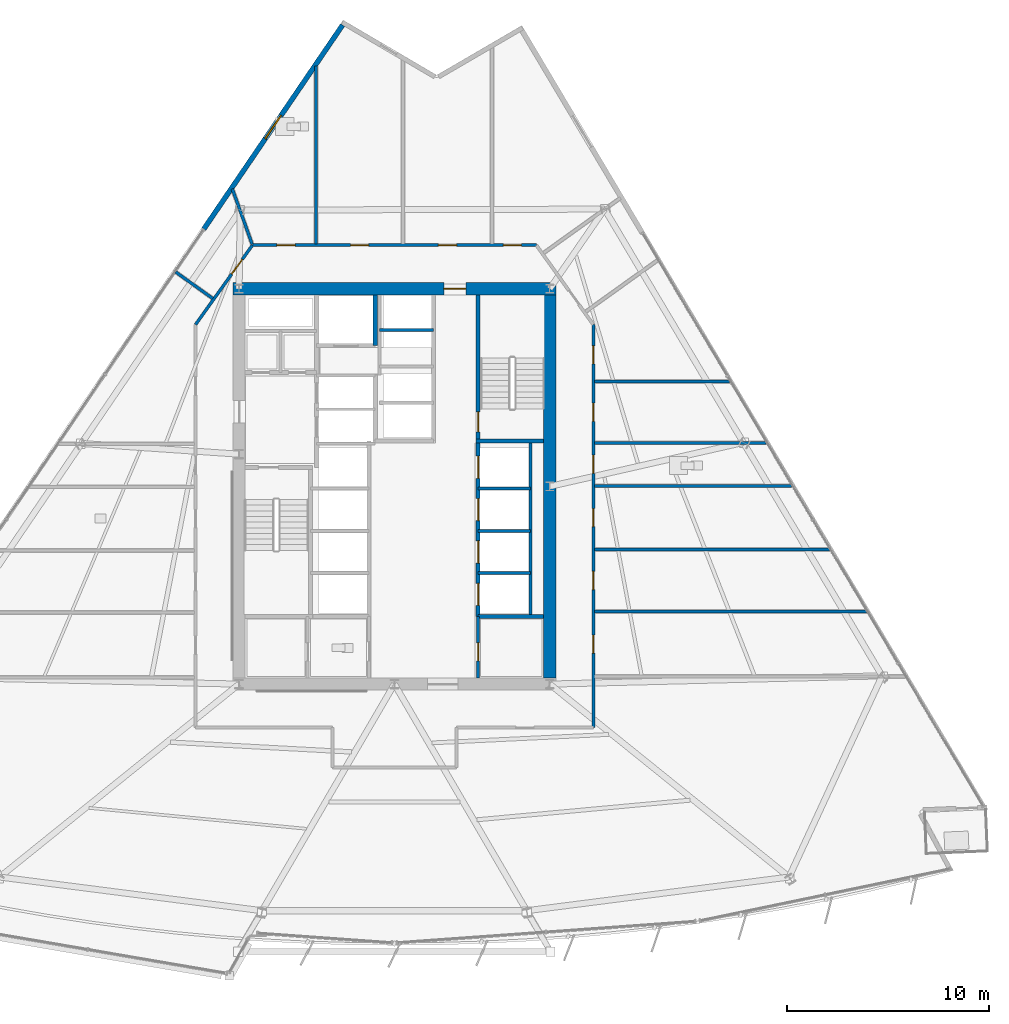
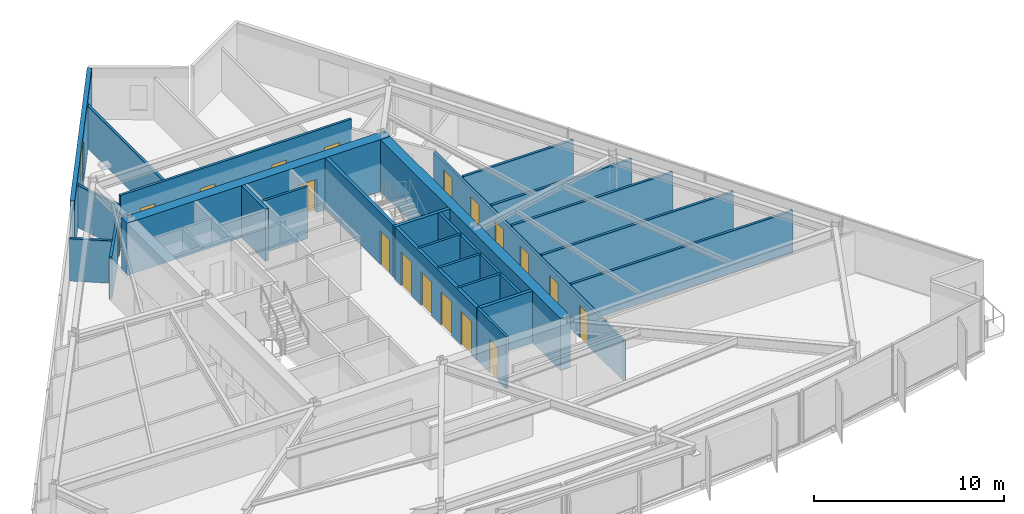
# One storey, part 10 of 17: 25 walls, 18 doors, 1 window, 19 openings.
"""IFC4 building model written with IfcOpenShell, lengths in metres."""

from ifc_helpers import new_model, si_unit, direction, frame, frame_2d, origin, place, context, subcontext, project, spatial, rectangle, extrude, material, layer, layer_set, type_object, element, fill, save


model = new_model("IFC4")

# Units and contexts
model_context = context("Model", 3, precision=1e-05, world=origin(), true_north=direction((0.0, 1.0)))
body_context = subcontext(model_context, "Body", "Model", "MODEL_VIEW")
ifc_project = project(units=[si_unit("LENGTHUNIT", "METRE"), si_unit("AREAUNIT", "SQUARE_METRE"), si_unit("VOLUMEUNIT", "CUBIC_METRE"), si_unit("PLANEANGLEUNIT", "RADIAN"), si_unit("MASSUNIT", "GRAM", prefix="KILO")], contexts=[model_context])

# Site, building, storey
site_placement = place(None, origin())
site = spatial("IfcSite", under=ifc_project, at=site_placement, CompositionType="ELEMENT")
building_placement = place(site_placement, origin())
building = spatial("IfcBuilding", under=site, at=building_placement, Name="Savorim Split Tower", CompositionType="ELEMENT")
storey_placement = place(building_placement, frame((0.0, 0.0, 62.39990234375)))
storey = spatial("IfcBuildingStorey", under=building, at=storey_placement, Name="L16", CompositionType="ELEMENT", Elevation=62.39990234375)

# Wall, opening, door
ifc_material_1 = material(Name="Concrete C60/75", Category="concrete")
ifc_layer_1 = layer(ifc_material_1, 0.60009765625)
ifc_layer_set_1 = layer_set([ifc_layer_1], Name="WAL-COR-SH600")
wall_type_1 = type_object("IfcWallType", Name="WAL-COR-SH600", PredefinedType="SHEAR", material=ifc_layer_set_1)
wall_1_placement = place(storey_placement, frame((8.0, 10.199951171875, 0.0), z_axis=(0.0, 0.0, 1.0), x_axis=(-1.0, 0.0, 0.0)))
wall_1 = element("IfcWall", 1, at=wall_1_placement, inside=storey, type_object=wall_type_1, Name="L16 Offset Core North Shear Wall", PredefinedType="SHEAR", context=body_context, shape_type="SweptSolid", body=[
    extrude(rectangle(XDim=16.0, YDim=0.60009765625, at=frame_2d((8.0, 0.0))), origin(), (0.0, 0.0, 1.0), 3.35009765625),
])
opening_1_placement = place(wall_1_placement, frame((4.449951171875, 0.0, 0.0)))
opening_1 = element("IfcOpeningElement", 2, at=opening_1_placement, cuts=wall_1, Name="Opening DI-03", PredefinedType="OPENING", context=body_context, shape_type="SweptSolid", body=[
    extrude(rectangle(XDim=1.10009765625, YDim=2.14990234375, at=frame_2d((0.550048828125, 1.074951171875))), frame((0.0, 0.31005859375, 0.0), z_axis=(0.0, -1.0, 0.0), x_axis=(1.0, 0.0, 0.0)), (0.0, 0.0, 1.0), 0.6201171875),
])
ifc_material_2 = material(Name="Timber Fire Door Leaf", Category="wood")
door_type_1 = type_object("IfcDoorType", Name="DOR-FIR-1100", OperationType="NOTDEFINED", PredefinedType="DOOR", material=ifc_material_2)
door_1_placement = place(opening_1_placement, origin())
door_1 = element("IfcDoor", 3, at=door_1_placement, inside=storey, type_object=door_type_1, Name="DOR-L16-COR-NLOB - L16 North Corridor Lobby Fire Door", OperationType="SINGLE_SWING_LEFT", OverallHeight=2.14990234375, OverallWidth=1.10009765625, PredefinedType="DOOR", context=body_context, shape_type="SweptSolid", body=[
    extrude(rectangle(XDim=1.10009765625, YDim=2.14990234375, at=frame_2d((0.550048828125, 1.074951171875))), frame((0.0, 0.02490234375, 0.0), z_axis=(0.0, -1.0, 0.0), x_axis=(1.0, 0.0, 0.0)), (0.0, 0.0, 1.0), 0.050048828125),
])
fill(opening_1, door_1)

# Wall
wall_2_placement = place(storey_placement, frame((7.699951171875, 9.89990234375, 0.0), z_axis=(0.0, 0.0, 1.0), x_axis=(0.0, -1.0, 0.0)))
element("IfcWall", 4, at=wall_2_placement, inside=storey, type_object=wall_type_1, Name="L16 Offset Core East Shear Wall", PredefinedType="SHEAR", context=body_context, shape_type="SweptSolid", body=[
    extrude(rectangle(XDim=19.0, YDim=0.60009765625, at=frame_2d((9.5, 0.0))), origin(), (0.0, 0.0, 1.0), 3.35009765625),
])

# Wall, opening, window
ifc_material_3 = material(Name="Precast concrete C40/50", Category="concrete")
ifc_layer_2 = layer(ifc_material_3, 0.25)
ifc_layer_set_2 = layer_set([ifc_layer_2], Name="WAL-EXT-SPN250")
wall_type_2 = type_object("IfcWallType", Name="WAL-EXT-SPN250", PredefinedType="SOLIDWALL", material=ifc_layer_set_2)
wall_3_placement = place(storey_placement, frame((-9.45068359375, 13.163330078125, 0.0), z_axis=(0.0, 0.0, 1.0), x_axis=(0.562478152622, 0.826812147844, 0.0)))
wall_3 = element("IfcWall", 5, at=wall_3_placement, inside=storey, type_object=wall_type_2, Name="L16 West Operable Window Pier", PredefinedType="SOLIDWALL", context=body_context, shape_type="SweptSolid", body=[
    extrude(rectangle(XDim=12.232177734375, YDim=0.25, at=frame_2d((6.1162109375, 0.0))), origin(), (0.0, 0.0, 1.0), 3.35009765625),
])
opening_2_placement = place(wall_3_placement, frame((5.416015625, 0.0, 0.6201171875)))
opening_2 = element("IfcOpeningElement", 6, at=opening_2_placement, cuts=wall_3, Name="Opening WN-07", PredefinedType="OPENING", context=body_context, shape_type="SweptSolid", body=[
    extrude(rectangle(XDim=1.39990234375, YDim=2.0, at=frame_2d((0.699951171875, 1.0))), frame((0.0, 0.135009765625, 0.0), z_axis=(0.0, -1.0, 0.0), x_axis=(1.0, 0.0, 0.0)), (0.0, 0.0, 1.0), 0.27001953125),
])
ifc_material_4 = material(Name="Low-E Operable Double Glazing", Category="glass")
window_type = type_object("IfcWindowType", Name="WIN-TWR-1400x2000", PartitioningType="SINGLE_PANEL", PredefinedType="WINDOW", material=ifc_material_4)
window_placement = place(opening_2_placement, origin())
window = element("IfcWindow", 7, at=window_placement, inside=storey, type_object=window_type, Name="L16 West Operable Ventilation Window", OverallHeight=2.0, OverallWidth=1.39990234375, PartitioningType="SINGLE_PANEL", PredefinedType="WINDOW", context=body_context, shape_type="SweptSolid", body=[
    extrude(rectangle(XDim=1.39990234375, YDim=2.0, at=frame_2d((0.699951171875, 1.0))), frame((0.0, 0.030029296875, 0.0), z_axis=(0.0, -1.0, 0.0), x_axis=(1.0, 0.0, 0.0)), (0.0, 0.0, 1.0), 0.06005859375),
])
fill(opening_2, window)

# Wall, opening, door
ifc_material_5 = material(Name="Concrete C50/60", Category="concrete")
ifc_layer_3 = layer(ifc_material_5, 0.199951171875)
ifc_layer_set_3 = layer_set([ifc_layer_3], Name="WAL-INT-RC200")
wall_type_3 = type_object("IfcWallType", Name="WAL-INT-RC200", PredefinedType="SOLIDWALL", material=ifc_layer_set_3)
wall_4_placement = place(storey_placement, frame((4.14990234375, 2.75, 0.0), z_axis=(0.0, 0.0, 1.0), x_axis=(0.0, 1.0, 0.0)))
wall_4 = element("IfcWall", 8, at=wall_4_placement, inside=storey, type_object=wall_type_3, Name="L16 Structural Shaft Wall W-L16-CR07", PredefinedType="SOLIDWALL", context=body_context, shape_type="SweptSolid", body=[
    extrude(rectangle(XDim=7.14990234375, YDim=0.199951171875, at=frame_2d((3.574951171875, 0.0))), origin(), (0.0, 0.0, 1.0), 3.35009765625),
])
opening_3_placement = place(wall_4_placement, frame((0.35009765625, 0.0, 0.0)))
opening_3 = element("IfcOpeningElement", 9, at=opening_3_placement, cuts=wall_4, Name="Opening DI-04", PredefinedType="OPENING", context=body_context, shape_type="SweptSolid", body=[
    extrude(rectangle(XDim=1.0, YDim=2.14990234375, at=frame_2d((0.5, 1.074951171875))), frame((0.0, 0.10986328125, 0.0), z_axis=(0.0, -1.0, 0.0), x_axis=(1.0, 0.0, 0.0)), (0.0, 0.0, 1.0), 0.219970703125),
])
door_type_2 = type_object("IfcDoorType", Name="DOR-FIR-1000", OperationType="NOTDEFINED", PredefinedType="DOOR", material=ifc_material_2)
door_2_placement = place(opening_3_placement, origin())
door_2 = element("IfcDoor", 10, at=door_2_placement, inside=storey, type_object=door_type_2, Name="DR-L16-ST2 - L16 Stair ST-2 Enclosure Door", OperationType="SINGLE_SWING_RIGHT", OverallHeight=2.14990234375, OverallWidth=1.0, PredefinedType="DOOR", context=body_context, shape_type="SweptSolid", body=[
    extrude(rectangle(XDim=1.0, YDim=2.14990234375, at=frame_2d((0.5, 1.074951171875))), frame((0.0, 0.02490234375, 0.0), z_axis=(0.0, -1.0, 0.0), x_axis=(1.0, 0.0, 0.0)), (0.0, 0.0, 1.0), 0.050048828125),
])
fill(opening_3, door_2)

# Walls
wall_5_placement = place(storey_placement, frame((4.050048828125, 2.64990234375, 0.0), z_axis=(0.0, 0.0, 1.0), x_axis=(1.0, 0.0, 0.0)))
element("IfcWall", 11, at=wall_5_placement, inside=storey, type_object=wall_type_3, Name="L16 Structural Shaft Wall W-L16-CR08", PredefinedType="SOLIDWALL", context=body_context, shape_type="SweptSolid", body=[
    extrude(rectangle(XDim=3.349853515625, YDim=0.199951171875, at=frame_2d((1.6748046875, 0.0))), origin(), (0.0, 0.0, 1.0), 3.35009765625),
])
wall_6_placement = place(storey_placement, frame((-0.949951171875, 7.3798828125, 0.0), z_axis=(0.0, 0.0, 1.0), x_axis=(0.0, 1.0, 0.0)))
element("IfcWall", 12, at=wall_6_placement, inside=storey, type_object=wall_type_3, Name="L16 Partition W-L16-SVLE", PredefinedType="SOLIDWALL", context=body_context, shape_type="SweptSolid", body=[
    extrude(rectangle(XDim=2.51513671875, YDim=0.199951171875, at=frame_2d((1.257568359375, 0.0))), origin(), (0.0, 0.0, 1.0), 3.35009765625),
])

# Wall, openings, doors
wall_7_placement = place(storey_placement, frame((4.14990234375, -6.050048828125, 0.0), z_axis=(0.0, 0.0, 1.0), x_axis=(0.0, 1.0, 0.0)))
wall_7 = element("IfcWall", 13, at=wall_7_placement, inside=storey, type_object=wall_type_3, Name="L16 Partition W-L16-B1FRONT", PredefinedType="SOLIDWALL", context=body_context, shape_type="SweptSolid", body=[
    extrude(rectangle(XDim=8.699951171875, YDim=0.199951171875, at=frame_2d((4.35009765625, 0.0))), origin(), (0.0, 0.0, 1.0), 3.35009765625),
])
opening_4_placement = place(wall_7_placement, frame((0.550048828125, 0.0, 0.0)))
opening_4 = element("IfcOpeningElement", 14, at=opening_4_placement, cuts=wall_7, Name="Opening LD-01", PredefinedType="OPENING", context=body_context, shape_type="SweptSolid", body=[
    extrude(rectangle(XDim=1.10009765625, YDim=2.14990234375, at=frame_2d((0.550048828125, 1.074951171875))), frame((0.0, 0.10986328125, 0.0), z_axis=(0.0, -1.0, 0.0), x_axis=(1.0, 0.0, 0.0)), (0.0, 0.0, 1.0), 0.219970703125),
])
opening_5_placement = place(wall_7_placement, frame((2.64990234375, 0.0, 0.0)))
opening_5 = element("IfcOpeningElement", 15, at=opening_5_placement, cuts=wall_7, Name="Opening LD-01", PredefinedType="OPENING", context=body_context, shape_type="SweptSolid", body=[
    extrude(rectangle(XDim=1.10009765625, YDim=2.14990234375, at=frame_2d((0.550048828125, 1.074951171875))), frame((0.0, 0.10986328125, 0.0), z_axis=(0.0, -1.0, 0.0), x_axis=(1.0, 0.0, 0.0)), (0.0, 0.0, 1.0), 0.219970703125),
])
opening_6_placement = place(wall_7_placement, frame((4.75, 0.0, 0.0)))
opening_6 = element("IfcOpeningElement", 16, at=opening_6_placement, cuts=wall_7, Name="Opening LD-01", PredefinedType="OPENING", context=body_context, shape_type="SweptSolid", body=[
    extrude(rectangle(XDim=1.10009765625, YDim=2.14990234375, at=frame_2d((0.550048828125, 1.074951171875))), frame((0.0, 0.10986328125, 0.0), z_axis=(0.0, -1.0, 0.0), x_axis=(1.0, 0.0, 0.0)), (0.0, 0.0, 1.0), 0.219970703125),
])
opening_7_placement = place(wall_7_placement, frame((6.85009765625, 0.0, 0.0)))
opening_7 = element("IfcOpeningElement", 17, at=opening_7_placement, cuts=wall_7, Name="Opening LD-01", PredefinedType="OPENING", context=body_context, shape_type="SweptSolid", body=[
    extrude(rectangle(XDim=1.10009765625, YDim=2.14990234375, at=frame_2d((0.550048828125, 1.074951171875))), frame((0.0, 0.10986328125, 0.0), z_axis=(0.0, -1.0, 0.0), x_axis=(1.0, 0.0, 0.0)), (0.0, 0.0, 1.0), 0.219970703125),
])
ifc_material_6 = material(Name="Charcoal Anodised Aluminium", Category="aluminium")
door_type_3 = type_object("IfcDoorType", Name="DOR-SLD-LD1100", OperationType="NOTDEFINED", PredefinedType="DOOR", material=ifc_material_6)
door_3_placement = place(opening_4_placement, origin())
door_3 = element("IfcDoor", 18, at=door_3_placement, inside=storey, type_object=door_type_3, Name="DR-L16-LD-PLL1 - L16 Lift PL-L1 Sliding Landing Door", OperationType="DOUBLE_DOOR_SLIDING", OverallHeight=2.14990234375, OverallWidth=1.10009765625, PredefinedType="DOOR", context=body_context, shape_type="SweptSolid", body=[
    extrude(rectangle(XDim=1.10009765625, YDim=2.14990234375, at=frame_2d((0.550048828125, 1.074951171875))), frame((0.0, 0.02490234375, 0.0), z_axis=(0.0, -1.0, 0.0), x_axis=(1.0, 0.0, 0.0)), (0.0, 0.0, 1.0), 0.050048828125),
])
fill(opening_4, door_3)
door_4_placement = place(opening_5_placement, origin())
door_4 = element("IfcDoor", 19, at=door_4_placement, inside=storey, type_object=door_type_3, Name="DR-L16-LD-PLL2 - L16 Lift PL-L2 Sliding Landing Door", OperationType="DOUBLE_DOOR_SLIDING", OverallHeight=2.14990234375, OverallWidth=1.10009765625, PredefinedType="DOOR", context=body_context, shape_type="SweptSolid", body=[
    extrude(rectangle(XDim=1.10009765625, YDim=2.14990234375, at=frame_2d((0.550048828125, 1.074951171875))), frame((0.0, 0.02490234375, 0.0), z_axis=(0.0, -1.0, 0.0), x_axis=(1.0, 0.0, 0.0)), (0.0, 0.0, 1.0), 0.050048828125),
])
fill(opening_5, door_4)
door_5_placement = place(opening_6_placement, origin())
door_5 = element("IfcDoor", 20, at=door_5_placement, inside=storey, type_object=door_type_3, Name="DR-L16-LD-PLL3 - L16 Lift PL-L3 Sliding Landing Door", OperationType="DOUBLE_DOOR_SLIDING", OverallHeight=2.14990234375, OverallWidth=1.10009765625, PredefinedType="DOOR", context=body_context, shape_type="SweptSolid", body=[
    extrude(rectangle(XDim=1.10009765625, YDim=2.14990234375, at=frame_2d((0.550048828125, 1.074951171875))), frame((0.0, 0.02490234375, 0.0), z_axis=(0.0, -1.0, 0.0), x_axis=(1.0, 0.0, 0.0)), (0.0, 0.0, 1.0), 0.050048828125),
])
fill(opening_6, door_5)
door_6_placement = place(opening_7_placement, origin())
door_6 = element("IfcDoor", 21, at=door_6_placement, inside=storey, type_object=door_type_3, Name="DR-L16-LD-PLL4 - L16 Lift PL-L4 Sliding Landing Door", OperationType="DOUBLE_DOOR_SLIDING", OverallHeight=2.14990234375, OverallWidth=1.10009765625, PredefinedType="DOOR", context=body_context, shape_type="SweptSolid", body=[
    extrude(rectangle(XDim=1.10009765625, YDim=2.14990234375, at=frame_2d((0.550048828125, 1.074951171875))), frame((0.0, 0.02490234375, 0.0), z_axis=(0.0, -1.0, 0.0), x_axis=(1.0, 0.0, 0.0)), (0.0, 0.0, 1.0), 0.050048828125),
])
fill(opening_7, door_6)

# Walls
wall_8_placement = place(storey_placement, frame((4.14990234375, -6.050048828125, 0.0), z_axis=(0.0, 0.0, 1.0), x_axis=(1.0, 0.0, 0.0)))
element("IfcWall", 22, at=wall_8_placement, inside=storey, type_object=wall_type_3, Name="L16 Partition W-L16-KSEP-E", PredefinedType="SOLIDWALL", context=body_context, shape_type="SweptSolid", body=[
    extrude(rectangle(XDim=3.2451171875, YDim=0.199951171875, at=frame_2d((1.62255859375, 0.0))), origin(), (0.0, 0.0, 1.0), 3.35009765625),
])
ifc_material_7 = material(Name="Acoustic Gypsum Partition Board")
ifc_layer_4 = layer(ifc_material_7, 0.14990234375)
ifc_layer_set_4 = layer_set([ifc_layer_4], Name="WAL-PAR-150")
wall_type_4 = type_object("IfcWallType", Name="WAL-PAR-150", PredefinedType="PARTITIONING", material=ifc_layer_set_4)
wall_9_placement = place(storey_placement, frame((6.75, -6.050048828125, 0.0), z_axis=(0.0, 0.0, 1.0), x_axis=(0.0, 1.0, 0.0)))
element("IfcWall", 23, at=wall_9_placement, inside=storey, type_object=wall_type_4, Name="L16 Partition W-L16-B1BACK", PredefinedType="PARTITIONING", context=body_context, shape_type="SweptSolid", body=[
    extrude(rectangle(XDim=8.699951171875, YDim=0.14990234375, at=frame_2d((4.35009765625, 0.0))), origin(), (0.0, 0.0, 1.0), 3.35009765625),
])
for number, where, z_axis, x_axis, name in (
    (24, (4.14990234375, -3.89990234375, 0.0), (0.0, 0.0, 1.0), (1.0, 0.0, 0.0), "L16 Partition W-L16-B1DIV1"),
    (25, (4.14990234375, -1.800048828125, 0.0), (0.0, 0.0, 1.0), (1.0, 0.0, 0.0), "L16 Partition W-L16-B1DIV2"),
    (26, (4.14990234375, 0.300048828125, 0.0), (0.0, 0.0, 1.0), (1.0, 0.0, 0.0), "L16 Partition W-L16-B1DIV3"),
):
    element("IfcWall", number, at=place(storey_placement, frame(where, z_axis=z_axis, x_axis=x_axis)), inside=storey, type_object=wall_type_4, Name=name, PredefinedType="PARTITIONING", context=body_context, shape_type="SweptSolid", body=[
        extrude(rectangle(XDim=2.60009765625, YDim=0.14990234375, at=frame_2d((1.300048828125, 0.0))), origin(), (0.0, 0.0, 1.0), 3.35009765625),
    ])
wall_10_placement = place(storey_placement, frame((-0.75, 8.14990234375, 0.0), z_axis=(0.0, 0.0, 1.0), x_axis=(1.0, 0.0, 0.0)))
element("IfcWall", 27, at=wall_10_placement, inside=storey, type_object=wall_type_4, Name="L16 Partition W-L16-B3DIV3", PredefinedType="PARTITIONING", context=body_context, shape_type="SweptSolid", body=[
    extrude(rectangle(XDim=2.699951171875, YDim=0.14990234375, at=frame_2d((1.35009765625, 0.0))), origin(), (0.0, 0.0, 1.0), 3.35009765625),
])

# Wall, opening, door
wall_11_placement = place(storey_placement, frame((4.14990234375, -9.094970703125, 0.0), z_axis=(0.0, 0.0, 1.0), x_axis=(0.0, 1.0, 0.0)))
wall_11 = element("IfcWall", 28, at=wall_11_placement, inside=storey, type_object=wall_type_4, Name="L16 Partition W-L16-KLOB-E", PredefinedType="PARTITIONING", context=body_context, shape_type="SweptSolid", body=[
    extrude(rectangle(XDim=3.044921875, YDim=0.14990234375, at=frame_2d((1.5224609375, 0.0))), origin(), (0.0, 0.0, 1.0), 3.35009765625),
])
opening_8_placement = place(wall_11_placement, frame((0.844970703125, 0.0, 0.0)))
opening_8 = element("IfcOpeningElement", 29, at=opening_8_placement, cuts=wall_11, Name="Opening DI-06", PredefinedType="OPENING", context=body_context, shape_type="SweptSolid", body=[
    extrude(rectangle(XDim=0.89990234375, YDim=2.10009765625, at=frame_2d((0.449951171875, 1.050048828125))), frame((0.0, 0.0849609375, 0.0), z_axis=(0.0, -1.0, 0.0), x_axis=(1.0, 0.0, 0.0)), (0.0, 0.0, 1.0), 0.169921875),
])
door_type_4 = type_object("IfcDoorType", Name="DOR-FIR-900", OperationType="NOTDEFINED", PredefinedType="DOOR", material=ifc_material_2)
door_7_placement = place(opening_8_placement, origin())
door_7 = element("IfcDoor", 30, at=door_7_placement, inside=storey, type_object=door_type_4, Name="DR-L16-K1IT - L16 Core IT Room Door", OperationType="SINGLE_SWING_LEFT", OverallHeight=2.10009765625, OverallWidth=0.89990234375, PredefinedType="DOOR", context=body_context, shape_type="SweptSolid", body=[
    extrude(rectangle(XDim=0.89990234375, YDim=2.10009765625, at=frame_2d((0.449951171875, 1.050048828125))), frame((0.0, 0.02490234375, 0.0), z_axis=(0.0, -1.0, 0.0), x_axis=(1.0, 0.0, 0.0)), (0.0, 0.0, 1.0), 0.050048828125),
])
fill(opening_8, door_7)

wall_12_placement = place(storey_placement, frame((-9.860107421875, 8.42578125, 0.0), z_axis=(0.0, 0.0, 1.0), x_axis=(0.582449511476, 0.812866881218, 0.0)))
wall_12 = element("IfcWall", 31, at=wall_12_placement, inside=storey, type_object=wall_type_4, Name="L16 Partition W-L16-COR-02", PredefinedType="PARTITIONING", context=body_context, shape_type="SweptSolid", body=[
    extrude(rectangle(XDim=4.840087890625, YDim=0.14990234375, at=frame_2d((2.419921875, 0.0))), origin(), (0.0, 0.0, 1.0), 2.72509765625),
])
opening_9_placement = place(wall_12_placement, frame((3.07421875, 0.0, 0.0)))
opening_9 = element("IfcOpeningElement", 32, at=opening_9_placement, cuts=wall_12, Name="Opening DI-06", PredefinedType="OPENING", context=body_context, shape_type="SweptSolid", body=[
    extrude(rectangle(XDim=0.89990234375, YDim=2.10009765625, at=frame_2d((0.449951171875, 1.050048828125))), frame((0.0, 0.0849609375, 0.0), z_axis=(0.0, -1.0, 0.0), x_axis=(1.0, 0.0, 0.0)), (0.0, 0.0, 1.0), 0.169921875),
])
door_8_placement = place(opening_9_placement, origin())
door_8 = element("IfcDoor", 33, at=door_8_placement, inside=storey, type_object=door_type_4, Name="DR-L16-RM16 - L16 Co-Working Commons Entry Door", OperationType="SINGLE_SWING_LEFT", OverallHeight=2.10009765625, OverallWidth=0.89990234375, PredefinedType="DOOR", context=body_context, shape_type="SweptSolid", body=[
    extrude(rectangle(XDim=0.89990234375, YDim=2.10009765625, at=frame_2d((0.449951171875, 1.050048828125))), frame((0.0, 0.02490234375, 0.0), z_axis=(0.0, -1.0, 0.0), x_axis=(1.0, 0.0, 0.0)), (0.0, 0.0, 1.0), 0.050048828125),
])
fill(opening_9, door_8)

# Wall, openings, doors
wall_13_placement = place(storey_placement, frame((-7.041015625, 12.360107421875, 0.0), z_axis=(0.0, 0.0, 1.0), x_axis=(1.0, 0.0, 0.0)))
wall_13 = element("IfcWall", 34, at=wall_13_placement, inside=storey, type_object=wall_type_4, Name="L16 Partition W-L16-COR-03", PredefinedType="PARTITIONING", context=body_context, shape_type="SweptSolid", body=[
    extrude(rectangle(XDim=14.08203125, YDim=0.14990234375, at=frame_2d((7.041015625, 0.0))), origin(), (0.0, 0.0, 1.0), 3.35009765625),
])
opening_10_placement = place(wall_13_placement, frame((12.439697265625, 0.0, 0.0)))
opening_10 = element("IfcOpeningElement", 35, at=opening_10_placement, cuts=wall_13, Name="Opening DI-06", PredefinedType="OPENING", context=body_context, shape_type="SweptSolid", body=[
    extrude(rectangle(XDim=0.89990234375, YDim=2.10009765625, at=frame_2d((0.449951171875, 1.050048828125))), frame((0.0, 0.0849609375, 0.0), z_axis=(0.0, -1.0, 0.0), x_axis=(1.0, 0.0, 0.0)), (0.0, 0.0, 1.0), 0.169921875),
])
opening_11_placement = place(wall_13_placement, frame((9.22509765625, 0.0, 0.0)))
opening_11 = element("IfcOpeningElement", 36, at=opening_11_placement, cuts=wall_13, Name="Opening DI-06", PredefinedType="OPENING", context=body_context, shape_type="SweptSolid", body=[
    extrude(rectangle(XDim=0.89990234375, YDim=2.10009765625, at=frame_2d((0.449951171875, 1.050048828125))), frame((0.0, 0.0849609375, 0.0), z_axis=(0.0, -1.0, 0.0), x_axis=(1.0, 0.0, 0.0)), (0.0, 0.0, 1.0), 0.169921875),
])
opening_12_placement = place(wall_13_placement, frame((4.865966796875, 0.0, 0.0)))
opening_12 = element("IfcOpeningElement", 37, at=opening_12_placement, cuts=wall_13, Name="Opening DI-06", PredefinedType="OPENING", context=body_context, shape_type="SweptSolid", body=[
    extrude(rectangle(XDim=0.89990234375, YDim=2.10009765625, at=frame_2d((0.449951171875, 1.050048828125))), frame((0.0, 0.0849609375, 0.0), z_axis=(0.0, -1.0, 0.0), x_axis=(1.0, 0.0, 0.0)), (0.0, 0.0, 1.0), 0.169921875),
])
opening_13_placement = place(wall_13_placement, frame((1.2177734375, 0.0, 0.0)))
opening_13 = element("IfcOpeningElement", 38, at=opening_13_placement, cuts=wall_13, Name="Opening DI-11", PredefinedType="OPENING", context=body_context, shape_type="SweptSolid", body=[
    extrude(rectangle(XDim=0.89990234375, YDim=2.10009765625, at=frame_2d((0.449951171875, 1.050048828125))), frame((0.0, 0.0849609375, 0.0), z_axis=(0.0, -1.0, 0.0), x_axis=(1.0, 0.0, 0.0)), (0.0, 0.0, 1.0), 0.169921875),
])
door_9_placement = place(opening_10_placement, origin())
door_9 = element("IfcDoor", 39, at=door_9_placement, inside=storey, type_object=door_type_4, Name="DR-L16-RM12 - L16 Maker Workshop Entry Door", OperationType="SINGLE_SWING_LEFT", OverallHeight=2.10009765625, OverallWidth=0.89990234375, PredefinedType="DOOR", context=body_context, shape_type="SweptSolid", body=[
    extrude(rectangle(XDim=0.89990234375, YDim=2.10009765625, at=frame_2d((0.449951171875, 1.050048828125))), frame((0.0, 0.02490234375, 0.0), z_axis=(0.0, -1.0, 0.0), x_axis=(1.0, 0.0, 0.0)), (0.0, 0.0, 1.0), 0.050048828125),
])
fill(opening_10, door_9)
door_10_placement = place(opening_11_placement, origin())
door_10 = element("IfcDoor", 40, at=door_10_placement, inside=storey, type_object=door_type_4, Name="DR-L16-RM13 - L16 Quiet Study Room Entry Door", OperationType="SINGLE_SWING_RIGHT", OverallHeight=2.10009765625, OverallWidth=0.89990234375, PredefinedType="DOOR", context=body_context, shape_type="SweptSolid", body=[
    extrude(rectangle(XDim=0.89990234375, YDim=2.10009765625, at=frame_2d((0.449951171875, 1.050048828125))), frame((0.0, 0.02490234375, 0.0), z_axis=(0.0, -1.0, 0.0), x_axis=(1.0, 0.0, 0.0)), (0.0, 0.0, 1.0), 0.050048828125),
])
fill(opening_11, door_10)
door_11_placement = place(opening_12_placement, origin())
door_11 = element("IfcDoor", 41, at=door_11_placement, inside=storey, type_object=door_type_4, Name="DR-L16-RM14 - L16 Maker Workshop Entry Door", OperationType="SINGLE_SWING_LEFT", OverallHeight=2.10009765625, OverallWidth=0.89990234375, PredefinedType="DOOR", context=body_context, shape_type="SweptSolid", body=[
    extrude(rectangle(XDim=0.89990234375, YDim=2.10009765625, at=frame_2d((0.449951171875, 1.050048828125))), frame((0.0, 0.02490234375, 0.0), z_axis=(0.0, -1.0, 0.0), x_axis=(1.0, 0.0, 0.0)), (0.0, 0.0, 1.0), 0.050048828125),
])
fill(opening_12, door_11)
ifc_material_8 = material(Name="Oak Veneer Acoustic Door")
door_type_5 = type_object("IfcDoorType", Name="DOR-WC-900", OperationType="NOTDEFINED", PredefinedType="DOOR", material=ifc_material_8)
door_12_placement = place(opening_13_placement, origin())
door_12 = element("IfcDoor", 42, at=door_12_placement, inside=storey, type_object=door_type_5, Name="DR-L16-RM15 - L16 Shared Bathroom Entry Door", OperationType="SINGLE_SWING_RIGHT", OverallHeight=2.10009765625, OverallWidth=0.89990234375, PredefinedType="DOOR", context=body_context, shape_type="SweptSolid", body=[
    extrude(rectangle(XDim=0.89990234375, YDim=2.10009765625, at=frame_2d((0.449951171875, 1.050048828125))), frame((0.0, 0.02490234375, 0.0), z_axis=(0.0, -1.0, 0.0), x_axis=(1.0, 0.0, 0.0)), (0.0, 0.0, 1.0), 0.050048828125),
])
fill(opening_13, door_12)

wall_14_placement = place(storey_placement, frame((9.860107421875, 8.42578125, 0.0), z_axis=(0.0, 0.0, 1.0), x_axis=(0.0, -1.0, 0.0)))
wall_14 = element("IfcWall", 43, at=wall_14_placement, inside=storey, type_object=wall_type_4, Name="L16 Partition W-L16-COR-05", PredefinedType="PARTITIONING", context=body_context, shape_type="SweptSolid", body=[
    extrude(rectangle(XDim=19.98583984375, YDim=0.14990234375, at=frame_2d((9.992919921875, 0.0))), origin(), (0.0, 0.0, 1.0), 2.609130859375),
])
opening_14_placement = place(wall_14_placement, frame((15.391845703125, 0.0, 0.0)))
opening_14 = element("IfcOpeningElement", 44, at=opening_14_placement, cuts=wall_14, Name="Opening DI-06", PredefinedType="OPENING", context=body_context, shape_type="SweptSolid", body=[
    extrude(rectangle(XDim=0.89990234375, YDim=2.10009765625, at=frame_2d((0.449951171875, 1.050048828125))), frame((0.0, 0.0849609375, 0.0), z_axis=(0.0, -1.0, 0.0), x_axis=(1.0, 0.0, 0.0)), (0.0, 0.0, 1.0), 0.169921875),
])
opening_15_placement = place(wall_14_placement, frame((12.238037109375, 0.0, 0.0)))
opening_15 = element("IfcOpeningElement", 45, at=opening_15_placement, cuts=wall_14, Name="Opening DI-06", PredefinedType="OPENING", context=body_context, shape_type="SweptSolid", body=[
    extrude(rectangle(XDim=0.89990234375, YDim=2.10009765625, at=frame_2d((0.449951171875, 1.050048828125))), frame((0.0, 0.0849609375, 0.0), z_axis=(0.0, -1.0, 0.0), x_axis=(1.0, 0.0, 0.0)), (0.0, 0.0, 1.0), 0.169921875),
])
opening_16_placement = place(wall_14_placement, frame((9.11962890625, 0.0, 0.0)))
opening_16 = element("IfcOpeningElement", 46, at=opening_16_placement, cuts=wall_14, Name="Opening DI-06", PredefinedType="OPENING", context=body_context, shape_type="SweptSolid", body=[
    extrude(rectangle(XDim=0.89990234375, YDim=2.10009765625, at=frame_2d((0.449951171875, 1.050048828125))), frame((0.0, 0.0849609375, 0.0), z_axis=(0.0, -1.0, 0.0), x_axis=(1.0, 0.0, 0.0)), (0.0, 0.0, 1.0), 0.169921875),
])
opening_17_placement = place(wall_14_placement, frame((6.477783203125, 0.0, 0.0)))
opening_17 = element("IfcOpeningElement", 47, at=opening_17_placement, cuts=wall_14, Name="Opening DI-11", PredefinedType="OPENING", context=body_context, shape_type="SweptSolid", body=[
    extrude(rectangle(XDim=0.89990234375, YDim=2.10009765625, at=frame_2d((0.449951171875, 1.050048828125))), frame((0.0, 0.0849609375, 0.0), z_axis=(0.0, -1.0, 0.0), x_axis=(1.0, 0.0, 0.0)), (0.0, 0.0, 1.0), 0.169921875),
])
opening_18_placement = place(wall_14_placement, frame((3.894287109375, 0.0, 0.0)))
opening_18 = element("IfcOpeningElement", 48, at=opening_18_placement, cuts=wall_14, Name="Opening DI-06", PredefinedType="OPENING", context=body_context, shape_type="SweptSolid", body=[
    extrude(rectangle(XDim=0.89990234375, YDim=2.10009765625, at=frame_2d((0.449951171875, 1.050048828125))), frame((0.0, 0.0849609375, 0.0), z_axis=(0.0, -1.0, 0.0), x_axis=(1.0, 0.0, 0.0)), (0.0, 0.0, 1.0), 0.169921875),
])
opening_19_placement = place(wall_14_placement, frame((1.052001953125, 0.0, 0.0)))
opening_19 = element("IfcOpeningElement", 49, at=opening_19_placement, cuts=wall_14, Name="Opening DI-06", PredefinedType="OPENING", context=body_context, shape_type="SweptSolid", body=[
    extrude(rectangle(XDim=0.89990234375, YDim=2.10009765625, at=frame_2d((0.449951171875, 1.050048828125))), frame((0.0, 0.0849609375, 0.0), z_axis=(0.0, -1.0, 0.0), x_axis=(1.0, 0.0, 0.0)), (0.0, 0.0, 1.0), 0.169921875),
])
door_13_placement = place(opening_14_placement, origin())
door_13 = element("IfcDoor", 50, at=door_13_placement, inside=storey, type_object=door_type_4, Name="DR-L16-RM05 - L16 Maker Workshop Entry Door", OperationType="SINGLE_SWING_RIGHT", OverallHeight=2.10009765625, OverallWidth=0.89990234375, PredefinedType="DOOR", context=body_context, shape_type="SweptSolid", body=[
    extrude(rectangle(XDim=0.89990234375, YDim=2.10009765625, at=frame_2d((0.449951171875, 1.050048828125))), frame((0.0, 0.02490234375, 0.0), z_axis=(0.0, -1.0, 0.0), x_axis=(1.0, 0.0, 0.0)), (0.0, 0.0, 1.0), 0.050048828125),
])
fill(opening_14, door_13)
door_14_placement = place(opening_15_placement, origin())
door_14 = element("IfcDoor", 51, at=door_14_placement, inside=storey, type_object=door_type_4, Name="DR-L16-RM06 - L16 Maker Workshop Entry Door", OperationType="SINGLE_SWING_LEFT", OverallHeight=2.10009765625, OverallWidth=0.89990234375, PredefinedType="DOOR", context=body_context, shape_type="SweptSolid", body=[
    extrude(rectangle(XDim=0.89990234375, YDim=2.10009765625, at=frame_2d((0.449951171875, 1.050048828125))), frame((0.0, 0.02490234375, 0.0), z_axis=(0.0, -1.0, 0.0), x_axis=(1.0, 0.0, 0.0)), (0.0, 0.0, 1.0), 0.050048828125),
])
fill(opening_15, door_14)
door_15_placement = place(opening_16_placement, origin())
door_15 = element("IfcDoor", 52, at=door_15_placement, inside=storey, type_object=door_type_4, Name="DR-L16-RM07 - L16 Quiet Study Room Entry Door", OperationType="SINGLE_SWING_RIGHT", OverallHeight=2.10009765625, OverallWidth=0.89990234375, PredefinedType="DOOR", context=body_context, shape_type="SweptSolid", body=[
    extrude(rectangle(XDim=0.89990234375, YDim=2.10009765625, at=frame_2d((0.449951171875, 1.050048828125))), frame((0.0, 0.02490234375, 0.0), z_axis=(0.0, -1.0, 0.0), x_axis=(1.0, 0.0, 0.0)), (0.0, 0.0, 1.0), 0.050048828125),
])
fill(opening_16, door_15)
door_16_placement = place(opening_18_placement, origin())
door_16 = element("IfcDoor", 53, at=door_16_placement, inside=storey, type_object=door_type_4, Name="DR-L16-RM09 - L16 Maker Workshop Entry Door", OperationType="SINGLE_SWING_RIGHT", OverallHeight=2.10009765625, OverallWidth=0.89990234375, PredefinedType="DOOR", context=body_context, shape_type="SweptSolid", body=[
    extrude(rectangle(XDim=0.89990234375, YDim=2.10009765625, at=frame_2d((0.449951171875, 1.050048828125))), frame((0.0, 0.02490234375, 0.0), z_axis=(0.0, -1.0, 0.0), x_axis=(1.0, 0.0, 0.0)), (0.0, 0.0, 1.0), 0.050048828125),
])
fill(opening_18, door_16)
door_17_placement = place(opening_19_placement, origin())
door_17 = element("IfcDoor", 54, at=door_17_placement, inside=storey, type_object=door_type_4, Name="DR-L16-RM10 - L16 Co-Living Bedroom Entry Door", OperationType="SINGLE_SWING_LEFT", OverallHeight=2.10009765625, OverallWidth=0.89990234375, PredefinedType="DOOR", context=body_context, shape_type="SweptSolid", body=[
    extrude(rectangle(XDim=0.89990234375, YDim=2.10009765625, at=frame_2d((0.449951171875, 1.050048828125))), frame((0.0, 0.02490234375, 0.0), z_axis=(0.0, -1.0, 0.0), x_axis=(1.0, 0.0, 0.0)), (0.0, 0.0, 1.0), 0.050048828125),
])
fill(opening_19, door_17)
door_18_placement = place(opening_17_placement, origin())
door_18 = element("IfcDoor", 55, at=door_18_placement, inside=storey, type_object=door_type_5, Name="DR-L16-RM08 - L16 Shared Bathroom Entry Door", OperationType="SINGLE_SWING_LEFT", OverallHeight=2.10009765625, OverallWidth=0.89990234375, PredefinedType="DOOR", context=body_context, shape_type="SweptSolid", body=[
    extrude(rectangle(XDim=0.89990234375, YDim=2.10009765625, at=frame_2d((0.449951171875, 1.050048828125))), frame((0.0, 0.02490234375, 0.0), z_axis=(0.0, -1.0, 0.0), x_axis=(1.0, 0.0, 0.0)), (0.0, 0.0, 1.0), 0.050048828125),
])
fill(opening_17, door_18)

# Walls
wall_15_placement = place(storey_placement, frame((9.919921875, 2.56298828125, 0.0), z_axis=(0.0, 0.0, 1.0), x_axis=(1.0, 0.0, 0.0)))
element("IfcWall", 56, at=wall_15_placement, inside=storey, type_object=wall_type_4, Name="L16 Partition W-L16-PRAD06", PredefinedType="PARTITIONING", context=body_context, shape_type="SweptSolid", body=[
    extrude(rectangle(XDim=8.505615234375, YDim=0.14990234375, at=frame_2d((4.2529296875, 0.0))), origin(), (0.0, 0.0, 1.0), 2.735107421875),
])
wall_16_placement = place(storey_placement, frame((-7.0517578125, 12.409912109375, 0.0), z_axis=(0.0, 0.0, 1.0), x_axis=(-0.337577506443, 0.941297735652, 0.0)))
element("IfcWall", 57, at=wall_16_placement, inside=storey, type_object=wall_type_4, Name="L16 Partition W-L16-PRAD08", PredefinedType="PARTITIONING", context=body_context, shape_type="SweptSolid", body=[
    extrude(rectangle(XDim=2.915283203125, YDim=0.14990234375, at=frame_2d((1.45751953125, 0.0))), origin(), (0.0, 0.0, 1.0), 2.72509765625),
])
wall_17_placement = place(storey_placement, frame((9.919921875, -2.720947265625, 0.0), z_axis=(0.0, 0.0, 1.0), x_axis=(1.0, 0.0, 0.0)))
element("IfcWall", 58, at=wall_17_placement, inside=storey, type_object=wall_type_4, Name="L16 Partition W-L16-SUB02", PredefinedType="PARTITIONING", context=body_context, shape_type="SweptSolid", body=[
    extrude(rectangle(XDim=11.6474609375, YDim=0.14990234375, at=frame_2d((5.82373046875, 0.0))), origin(), (0.0, 0.0, 1.0), 2.735107421875),
])
wall_18_placement = place(storey_placement, frame((-9.0078125, 9.71826171875, 0.0), z_axis=(0.0, 0.0, 1.0), x_axis=(-0.812920514328, 0.582374653797, 0.0)))
element("IfcWall", 59, at=wall_18_placement, inside=storey, type_object=wall_type_4, Name="L16 Partition W-L16-SUB05", PredefinedType="PARTITIONING", context=body_context, shape_type="SweptSolid", body=[
    extrude(rectangle(XDim=2.254638671875, YDim=0.14990234375, at=frame_2d((1.12744140625, 0.0))), origin(), (0.0, 0.0, 1.0), 2.735107421875),
])
wall_19_placement = place(storey_placement, frame((9.919921875, -5.8037109375, 0.0), z_axis=(0.0, 0.0, 1.0), x_axis=(1.0, 0.0, 0.0)))
element("IfcWall", 60, at=wall_19_placement, inside=storey, type_object=wall_type_4, Name="L16 Partition W-L16-SUB08", PredefinedType="PARTITIONING", context=body_context, shape_type="SweptSolid", body=[
    extrude(rectangle(XDim=13.48046875, YDim=0.14990234375, at=frame_2d((6.740234375, 0.0))), origin(), (0.0, 0.0, 1.0), 2.735107421875),
])
wall_20_placement = place(storey_placement, frame((9.919921875, 0.432861328125, 0.0), z_axis=(0.0, 0.0, 1.0), x_axis=(1.0, 0.0, 0.0)))
element("IfcWall", 61, at=wall_20_placement, inside=storey, type_object=wall_type_4, Name="L16 Partition W-L16-SUB09", PredefinedType="PARTITIONING", context=body_context, shape_type="SweptSolid", body=[
    extrude(rectangle(XDim=9.772216796875, YDim=0.14990234375, at=frame_2d((4.88623046875, 0.0))), origin(), (0.0, 0.0, 1.0), 2.735107421875),
])
wall_21_placement = place(storey_placement, frame((9.919921875, 5.599853515625, 0.0), z_axis=(0.0, 0.0, 1.0), x_axis=(1.0, 0.0, 0.0)))
element("IfcWall", 62, at=wall_21_placement, inside=storey, type_object=wall_type_4, Name="L16 Partition W-L16-SUB10", PredefinedType="PARTITIONING", context=body_context, shape_type="SweptSolid", body=[
    extrude(rectangle(XDim=6.69970703125, YDim=0.14990234375, at=frame_2d((3.349853515625, 0.0))), origin(), (0.0, 0.0, 1.0), 2.735107421875),
])
wall_22_placement = place(storey_placement, frame((-3.8837890625, 12.419921875, 0.0), z_axis=(0.0, 0.0, 1.0), x_axis=(0.0, 1.0, 0.0)))
element("IfcWall", 63, at=wall_22_placement, inside=storey, type_object=wall_type_4, Name="L16 Partition W-L16-SUB12", PredefinedType="PARTITIONING", context=body_context, shape_type="SweptSolid", body=[
    extrude(rectangle(XDim=8.837646484375, YDim=0.14990234375, at=frame_2d((4.4189453125, 0.0))), origin(), (0.0, 0.0, 1.0), 2.735107421875),
])

save(model, "model.ifc")
